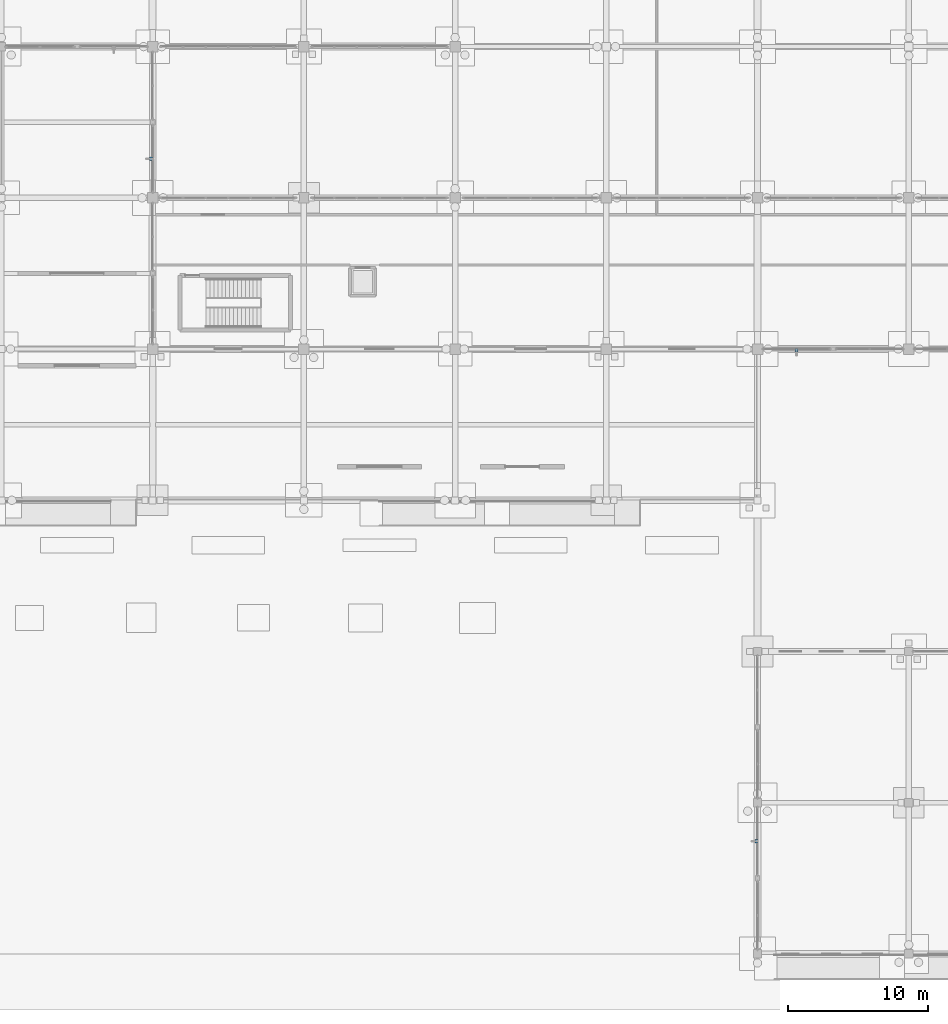
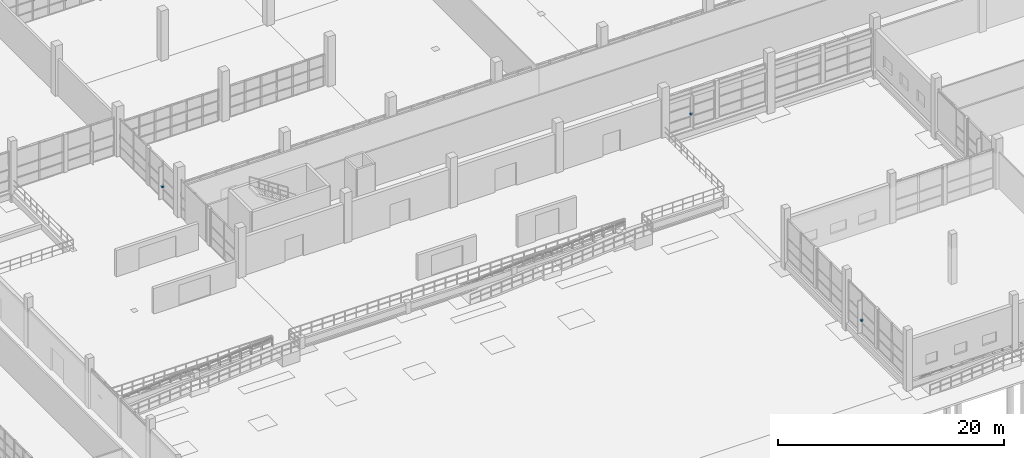
# One storey, part 120 of 138: 3 discrete accessories.
"""IFC4 building model written with IfcOpenShell, lengths in metres."""

from ifc_helpers import new_model, si_unit, direction, frame, origin, origin_2d, place, context, subcontext, project, spatial, rectangle, extrude, material, type_object, element, save


model = new_model("IFC4")

# Units and contexts
model_context = context("Model", 3, precision=1e-05, world=origin(), true_north=direction((0.0, 1.0)))
body_context = subcontext(model_context, "Body", "Model", "MODEL_VIEW")
ifc_project = project(units=[si_unit("LENGTHUNIT", "METRE"), si_unit("AREAUNIT", "SQUARE_METRE"), si_unit("VOLUMEUNIT", "CUBIC_METRE"), si_unit("PLANEANGLEUNIT", "RADIAN"), si_unit("MASSUNIT", "GRAM", prefix="KILO")], contexts=[model_context])

# Site, building, storey
site_placement = place(None, origin())
site = spatial("IfcSite", under=ifc_project, at=site_placement, CompositionType="ELEMENT")
building_placement = place(site_placement, origin())
building = spatial("IfcBuilding", under=site, at=building_placement, Name="Zwinboog Wholesale Market", CompositionType="ELEMENT")
storey_placement = place(building_placement, origin())
storey = spatial("IfcBuildingStorey", under=building, at=storey_placement, Name="L00", CompositionType="ELEMENT", Elevation=0.0)

# Discrete accessories
ifc_material = material(Name="Steel S355", Category="steel")
discrete_accessory_type = type_object("IfcDiscreteAccessoryType", Name="ACC-BRK-S355", PredefinedType="BRACKET", material=ifc_material)
for number, where, z_axis, x_axis, name in (
    (1, (64.7099609375, 56.784912109375, 1.31005859375), (0.0, 0.0, 1.0), (1.0, 0.0, 0.0), "BK-01 (ACC-FBRK-011)"),
    (2, (107.925048828125, 8.052490234375, 1.31005859375), (0.0, 0.0, 1.0), (1.0, 0.0, 0.0), "BK-01 (ACC-FBRK-012)"),
    (3, (110.784912109375, 43.110107421875, 1.31005859375), (0.0, 0.0, 1.0), (1.0, 0.0, 0.0), "BK-01 (ACC-FBRK-013)"),
):
    element("IfcDiscreteAccessory", number, at=place(storey_placement, frame(where, z_axis=z_axis, x_axis=x_axis)), inside=storey, type_object=discrete_accessory_type, Name=name, PredefinedType="BRACKET", context=body_context, shape_type="SweptSolid", body=[
        extrude(rectangle(XDim=0.239990234375, YDim=0.239990234375, at=origin_2d()), origin(), (0.0, 0.0, 1.0), 0.179931640625),
    ])

save(model, "model.ifc")
